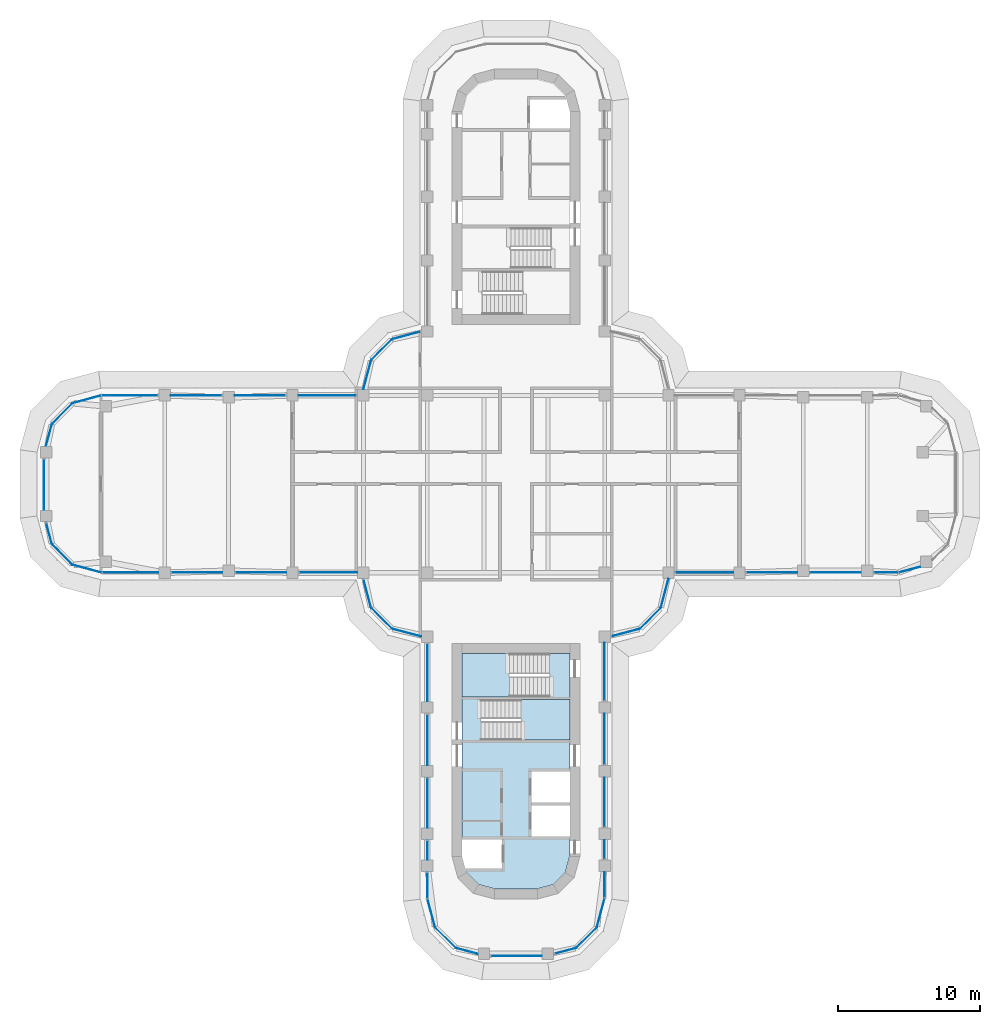
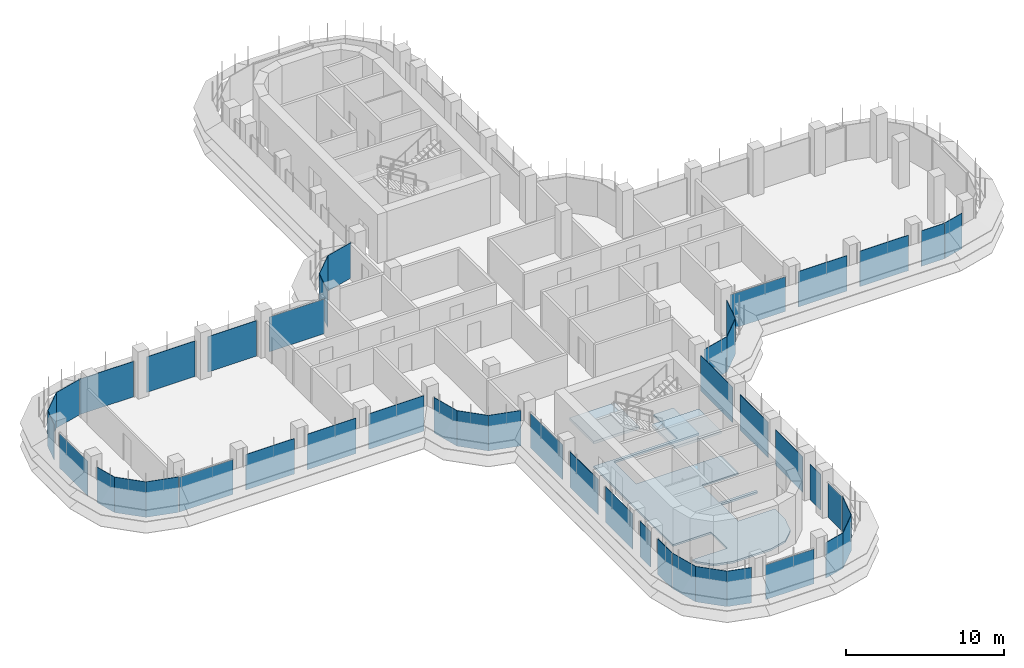
# One storey, part 12 of 20: 46 plates, 3 slabs, 31 elements without a shape of their own.
"""IFC4 building model written with IfcOpenShell, lengths in metres."""

from ifc_helpers import new_model, si_unit, direction, frame, origin, place, context, subcontext, project, spatial, polyline, outline, extrude, source, transform, mapped, material, layer, layer_set, type_object, element, aggregate, save


model = new_model("IFC4")

# Units and contexts
model_context = context("Model", 3, precision=1e-05, world=origin(), true_north=direction((0.0, 1.0)))
body_context = subcontext(model_context, "Body", "Model", "MODEL_VIEW")
ifc_project = project(units=[si_unit("LENGTHUNIT", "METRE"), si_unit("AREAUNIT", "SQUARE_METRE"), si_unit("VOLUMEUNIT", "CUBIC_METRE"), si_unit("PLANEANGLEUNIT", "RADIAN"), si_unit("MASSUNIT", "GRAM", prefix="KILO")], contexts=[model_context])

# Site, building, storey
site_placement = place(None, origin())
site = spatial("IfcSite", under=ifc_project, at=site_placement, CompositionType="ELEMENT")
building_placement = place(site_placement, origin())
building = spatial("IfcBuilding", under=site, at=building_placement, Name="Zarbagh Exchange Tower", CompositionType="ELEMENT")
storey_placement = place(building_placement, frame((0.0, 0.0, 152.39990234375)))
storey = spatial("IfcBuildingStorey", under=building, at=storey_placement, Name="L36", CompositionType="ELEMENT", Elevation=152.39990234375)

# Slab
ifc_material_1 = material(Name="Concrete C40/50", Category="concrete")
ifc_layer_1 = layer(ifc_material_1, 0.14990234375)
ifc_layer_set_1 = layer_set([ifc_layer_1], Name="Core floor slab 150 C40/50")
slab_type_1 = type_object("IfcSlabType", Name="Core floor slab 150 C40/50", PredefinedType="FLOOR", material=ifc_layer_set_1)
slab_1_placement = place(storey_placement, frame((0.0, 0.0, -0.14990234375)))
element("IfcSlab", 1, at=slab_1_placement, inside=storey, type_object=slab_type_1, Name="S17 core S", PredefinedType="FLOOR", context=body_context, shape_type="SweptSolid", body=[
    extrude(outline(polyline([(-2.6376953125, -28.220458984375), (-3.470458984375, -27.3876953125), (-3.800048828125, -26.15771484375), (-3.800048828125, -26.15771484375), (-3.547607421875, -27.10009765625), (-1.0, -27.10009765625), (-1.0, -25.050048828125), (-3.800048828125, -25.050048828125), (-3.800048828125, -15.0), (2.35009765625, -15.0), (2.35009765625, -11.949951171875), (3.800048828125, -11.949951171875), (3.800048828125, -15.199951171875), (-2.449951171875, -15.199951171875), (-2.449951171875, -18.050048828125), (3.800048828125, -18.050048828125), (3.800048828125, -20.25), (1.10009765625, -20.25), (1.10009765625, -22.449951171875), (3.800048828125, -22.449951171875), (3.800048828125, -22.64990234375), (1.10009765625, -22.64990234375), (1.10009765625, -24.85009765625), (3.800048828125, -24.85009765625), (3.800048828125, -26.15771484375), (3.470458984375, -27.3876953125), (2.6376953125, -28.220458984375), (1.40771484375, -28.550048828125), (-1.40771484375, -28.550048828125), (-2.6376953125, -28.220458984375)])), origin(), (0.0, 0.0, 1.0), 0.14990234375),
])

# Stair, slab
stair_type = type_object("IfcStairType", Name="Exit stair two-flight half-turn", PredefinedType="HALF_TURN_STAIR", material=ifc_material_1)
stair_1_placement = place(storey_placement, origin())
stair_1 = element("IfcStair", 2, at=stair_1_placement, inside=storey, type_object=stair_type, Name="exit stair ST3", PredefinedType="HALF_TURN_STAIR")
ifc_layer_2 = layer(ifc_material_1, 0.199951171875)
ifc_layer_set_2 = layer_set([ifc_layer_2], Name="Stair landing 200 mm")
slab_type_2 = type_object("IfcSlabType", Name="Stair landing 200 mm", PredefinedType="LANDING", material=ifc_layer_set_2)
slab_2_placement = place(storey_placement, frame((0.0, 0.0, 1.7001953125)))
slab_2 = element("IfcSlab", 3, at=slab_2_placement, type_object=slab_type_2, Name="ST3 landing 1", PredefinedType="LANDING", context=body_context, shape_type="SweptSolid", body=[
    extrude(outline(polyline([(0.35009765625, -18.050048828125), (3.800048828125, -18.050048828125), (3.800048828125, -15.199951171875), (0.35009765625, -15.199951171875), (0.35009765625, -18.050048828125)])), origin(), (0.0, 0.0, 1.0), 0.199951171875),
])
aggregate(stair_1, [slab_2])

stair_2_placement = place(storey_placement, origin())
stair_2 = element("IfcStair", 4, at=stair_2_placement, inside=storey, type_object=stair_type, Name="exit stair ST4", PredefinedType="HALF_TURN_STAIR")
slab_3_placement = place(storey_placement, frame((0.0, 0.0, 1.7001953125)))
slab_3 = element("IfcSlab", 5, at=slab_3_placement, type_object=slab_type_2, Name="ST4 landing 1", PredefinedType="LANDING", context=body_context, shape_type="SweptSolid", body=[
    extrude(outline(polyline([(-0.449951171875, -11.949951171875), (-3.800048828125, -11.949951171875), (-3.800048828125, -15.0), (-0.449951171875, -15.0), (-0.449951171875, -11.949951171875)])), origin(), (0.0, 0.0, 1.0), 0.199951171875),
])
aggregate(stair_2, [slab_3])

# Curtain wall, plate
ifc_material_2 = material(Name="Anodised aluminium frame and glazing", Category="aluminium")
curtain_wall_type = type_object("IfcCurtainWallType", Name="CWB Ribbon glazing, upper zones", PredefinedType="NOTDEFINED", material=ifc_material_2)
curtain_wall_1_placement = place(storey_placement, origin())
curtain_wall_1 = element("IfcCurtainWall", 6, at=curtain_wall_1_placement, inside=storey, type_object=curtain_wall_type, Name="CWB01 curtain wall", PredefinedType="NOTDEFINED")
ifc_material_3 = material(Name="Low-e double glazed unit, 6+12+6 mm")
ifc_layer_3 = layer(ifc_material_3, 0.031982421875)
ifc_layer_set_3 = layer_set([ifc_layer_3], Name="PAB Glazing panel, Low-e double glazed unit, 6+12+6 mm")
plate_type = type_object("IfcPlateType", Name="PAB Glazing panel, Low-e double glazed unit, 6+12+6 mm", PredefinedType="CURTAIN_PANEL", material=ifc_layer_set_3)
shared_shape_1 = source(origin(), body_context, "Body", "SweptSolid", [
    extrude(outline(polyline([(0.0, -0.01611328125), (1.5458984375, -0.01611328125), (1.5458984375, 0.01611328125), (0.0, 0.01611328125), (0.0, -0.01611328125)])), origin(), (0.0, 0.0, 1.0), 2.75),
])
placement = place(storey_placement, origin())
plate_1 = element("IfcPlate", 7, at=placement, type_object=plate_type, Name="CWB01 glazing panel 1.1", PredefinedType="CURTAIN_PANEL", context=body_context, shape_type="MappedRepresentation", body=[
    mapped(shared_shape_1, transform((2.748046875, -33.098876953125, 0.0), x_axis=(0.965924289636, 0.258824779902, 0.0), y_axis=(-0.258824779902, 0.965924289636, 0.0), z_axis=(0.0, 0.0, 1.0))),
])
aggregate(curtain_wall_1, [plate_1])

curtain_wall_2_placement = place(storey_placement, origin())
curtain_wall_2 = element("IfcCurtainWall", 8, at=curtain_wall_2_placement, inside=storey, type_object=curtain_wall_type, Name="CWB37 curtain wall", PredefinedType="NOTDEFINED")
plate_2 = element("IfcPlate", 9, at=placement, type_object=plate_type, Name="CWB37 glazing panel 1.1", PredefinedType="CURTAIN_PANEL", context=body_context, shape_type="MappedRepresentation", body=[
    mapped(shared_shape_1, transform((-33.098876953125, -2.748046875, 0.0), x_axis=(0.258824779902, -0.965924289636, 0.0), y_axis=(0.965924289636, 0.258824779902, 0.0), z_axis=(0.0, 0.0, 1.0))),
])
aggregate(curtain_wall_2, [plate_2])

curtain_wall_3_placement = place(storey_placement, origin())
curtain_wall_3 = element("IfcCurtainWall", 10, at=curtain_wall_3_placement, inside=storey, type_object=curtain_wall_type, Name="CWB02 curtain wall", PredefinedType="NOTDEFINED")
shared_shape_2 = source(origin(), body_context, "Body", "SweptSolid", [
    extrude(outline(polyline([(0.0, -0.01611328125), (2.061279296875, -0.01611328125), (2.061279296875, 0.01611328125), (0.0, 0.01611328125), (0.0, -0.01611328125)])), origin(), (0.0, 0.0, 1.0), 2.75),
])
plate_3 = element("IfcPlate", 11, at=placement, type_object=plate_type, Name="CWB02 glazing panel 1.1", PredefinedType="CURTAIN_PANEL", context=body_context, shape_type="MappedRepresentation", body=[
    mapped(shared_shape_2, transform((4.2412109375, -32.69873046875, 0.0), x_axis=(0.707106781187, 0.707106781187, 0.0), y_axis=(-0.707106781187, 0.707106781187, 0.0), z_axis=(0.0, 0.0, 1.0))),
])
aggregate(curtain_wall_3, [plate_3])

curtain_wall_4_placement = place(storey_placement, origin())
curtain_wall_4 = element("IfcCurtainWall", 12, at=curtain_wall_4_placement, inside=storey, type_object=curtain_wall_type, Name="CWB06 curtain wall", PredefinedType="NOTDEFINED")
plate_4 = element("IfcPlate", 13, at=placement, type_object=plate_type, Name="CWB06 glazing panel 1.1", PredefinedType="CURTAIN_PANEL", context=body_context, shape_type="MappedRepresentation", body=[
    mapped(shared_shape_2, transform((8.7412109375, -10.19873046875, 0.0), x_axis=(0.707106781187, 0.707106781187, 0.0), y_axis=(-0.707106781187, 0.707106781187, 0.0), z_axis=(0.0, 0.0, 1.0))),
])
aggregate(curtain_wall_4, [plate_4])

curtain_wall_5_placement = place(storey_placement, origin())
curtain_wall_5 = element("IfcCurtainWall", 14, at=curtain_wall_5_placement, inside=storey, type_object=curtain_wall_type, Name="CWB30 curtain wall", PredefinedType="NOTDEFINED")
plate_5 = element("IfcPlate", 15, at=placement, type_object=plate_type, Name="CWB30 glazing panel 1.1", PredefinedType="CURTAIN_PANEL", context=body_context, shape_type="MappedRepresentation", body=[
    mapped(shared_shape_2, transform((-8.7412109375, 10.19873046875, 0.0), x_axis=(-0.707106781187, -0.707106781187, 0.0), y_axis=(0.707106781187, -0.707106781187, 0.0), z_axis=(0.0, 0.0, 1.0))),
])
aggregate(curtain_wall_5, [plate_5])

curtain_wall_6_placement = place(storey_placement, origin())
curtain_wall_6 = element("IfcCurtainWall", 16, at=curtain_wall_6_placement, inside=storey, type_object=curtain_wall_type, Name="CWB34 curtain wall", PredefinedType="NOTDEFINED")
plate_6 = element("IfcPlate", 17, at=placement, type_object=plate_type, Name="CWB34 glazing panel 1.1", PredefinedType="CURTAIN_PANEL", context=body_context, shape_type="MappedRepresentation", body=[
    mapped(shared_shape_2, transform((-31.2412109375, 5.69873046875, 0.0), x_axis=(-0.707106781187, -0.707106781187, 0.0), y_axis=(0.707106781187, -0.707106781187, 0.0), z_axis=(0.0, 0.0, 1.0))),
])
aggregate(curtain_wall_6, [plate_6])

curtain_wall_7_placement = place(storey_placement, origin())
curtain_wall_7 = element("IfcCurtainWall", 18, at=curtain_wall_7_placement, inside=storey, type_object=curtain_wall_type, Name="CWB38 curtain wall", PredefinedType="NOTDEFINED")
plate_7 = element("IfcPlate", 19, at=placement, type_object=plate_type, Name="CWB38 glazing panel 1.1", PredefinedType="CURTAIN_PANEL", context=body_context, shape_type="MappedRepresentation", body=[
    mapped(shared_shape_2, transform((-32.69873046875, -4.2412109375, 0.0), x_axis=(0.707106781187, -0.707106781187, 0.0), y_axis=(0.707106781187, 0.707106781187, 0.0), z_axis=(0.0, 0.0, 1.0))),
])
aggregate(curtain_wall_7, [plate_7])

curtain_wall_8_placement = place(storey_placement, origin())
curtain_wall_8 = element("IfcCurtainWall", 20, at=curtain_wall_8_placement, inside=storey, type_object=curtain_wall_type, Name="CWB42 curtain wall", PredefinedType="NOTDEFINED")
plate_8 = element("IfcPlate", 21, at=placement, type_object=plate_type, Name="CWB42 glazing panel 1.1", PredefinedType="CURTAIN_PANEL", context=body_context, shape_type="MappedRepresentation", body=[
    mapped(shared_shape_2, transform((-10.19873046875, -8.7412109375, 0.0), x_axis=(0.707106781187, -0.707106781187, 0.0), y_axis=(0.707106781187, 0.707106781187, 0.0), z_axis=(0.0, 0.0, 1.0))),
])
aggregate(curtain_wall_8, [plate_8])

curtain_wall_9_placement = place(storey_placement, origin())
curtain_wall_9 = element("IfcCurtainWall", 22, at=curtain_wall_9_placement, inside=storey, type_object=curtain_wall_type, Name="CWB46 curtain wall", PredefinedType="NOTDEFINED")
plate_9 = element("IfcPlate", 23, at=placement, type_object=plate_type, Name="CWB46 glazing panel 1.1", PredefinedType="CURTAIN_PANEL", context=body_context, shape_type="MappedRepresentation", body=[
    mapped(shared_shape_2, transform((-5.69873046875, -31.2412109375, 0.0), x_axis=(0.707106781187, -0.707106781187, 0.0), y_axis=(0.707106781187, 0.707106781187, 0.0), z_axis=(0.0, 0.0, 1.0))),
])
aggregate(curtain_wall_9, [plate_9])

curtain_wall_10_placement = place(storey_placement, origin())
curtain_wall_10 = element("IfcCurtainWall", 24, at=curtain_wall_10_placement, inside=storey, type_object=curtain_wall_type, Name="CWB03 curtain wall", PredefinedType="NOTDEFINED")
shared_shape_3 = source(origin(), body_context, "Body", "SweptSolid", [
    extrude(outline(polyline([(0.0, -0.01611328125), (2.129638671875, -0.01611328125), (2.129638671875, 0.01611328125), (0.0, 0.01611328125), (0.0, -0.01611328125)])), origin(), (0.0, 0.0, 1.0), 2.75),
])
plate_10 = element("IfcPlate", 25, at=placement, type_object=plate_type, Name="CWB03 glazing panel 1.1", PredefinedType="CURTAIN_PANEL", context=body_context, shape_type="MappedRepresentation", body=[
    mapped(shared_shape_3, transform((5.69873046875, -31.2412109375, 0.0), x_axis=(0.258824779902, 0.965924289636, 0.0), y_axis=(-0.965924289636, 0.258824779902, 0.0), z_axis=(0.0, 0.0, 1.0))),
])
aggregate(curtain_wall_10, [plate_10])

curtain_wall_11_placement = place(storey_placement, origin())
curtain_wall_11 = element("IfcCurtainWall", 26, at=curtain_wall_11_placement, inside=storey, type_object=curtain_wall_type, Name="CWB39 curtain wall", PredefinedType="NOTDEFINED")
plate_11 = element("IfcPlate", 27, at=placement, type_object=plate_type, Name="CWB39 glazing panel 1.1", PredefinedType="CURTAIN_PANEL", context=body_context, shape_type="MappedRepresentation", body=[
    mapped(shared_shape_3, transform((-31.2412109375, -5.69873046875, 0.0), x_axis=(0.965924289636, -0.258824779902, 0.0), y_axis=(0.258824779902, 0.965924289636, 0.0), z_axis=(0.0, 0.0, 1.0))),
])
aggregate(curtain_wall_11, [plate_11])

# Curtain wall, plates
curtain_wall_12_placement = place(storey_placement, origin())
curtain_wall_12 = element("IfcCurtainWall", 28, at=curtain_wall_12_placement, inside=storey, type_object=curtain_wall_type, Name="CWB04 curtain wall", PredefinedType="NOTDEFINED")
shared_shape_4 = source(origin(), body_context, "Body", "SweptSolid", [
    extrude(outline(polyline([(0.0, -0.01611328125), (1.7841796875, -0.01611328125), (1.7841796875, 0.01611328125), (0.0, 0.01611328125), (0.0, -0.01611328125)])), origin(), (0.0, 0.0, 1.0), 2.68994140625),
])
plate_12 = element("IfcPlate", 29, at=placement, type_object=plate_type, Name="CWB04 glazing panel 1.1", PredefinedType="CURTAIN_PANEL", context=body_context, shape_type="MappedRepresentation", body=[
    mapped(shared_shape_4, transform((6.25, -29.124267578125, 0.0), x_axis=(0.0, 1.0, 0.0), y_axis=(-1.0, 0.0, 0.0), z_axis=(0.0, 0.0, 1.0))),
])
shared_shape_5 = source(origin(), body_context, "Body", "SweptSolid", [
    extrude(outline(polyline([(0.0, -0.01611328125), (1.31005859375, -0.01611328125), (1.31005859375, 0.01611328125), (0.0, 0.01611328125), (0.0, -0.01611328125)])), origin(), (0.0, 0.0, 1.0), 2.75),
])
plate_13 = element("IfcPlate", 30, at=placement, type_object=plate_type, Name="CWB04 glazing panel 2.1", PredefinedType="CURTAIN_PANEL", context=body_context, shape_type="MappedRepresentation", body=[
    mapped(shared_shape_5, transform((6.25, -26.39990234375, 0.0), x_axis=(0.0, 1.0, 0.0), y_axis=(-1.0, 0.0, 0.0), z_axis=(0.0, 0.0, 1.0))),
])

# Curtain wall, plate
curtain_wall_13_placement = place(storey_placement, origin())
curtain_wall_13 = element("IfcCurtainWall", 31, at=curtain_wall_13_placement, inside=storey, type_object=curtain_wall_type, Name="CWB44 curtain wall", PredefinedType="NOTDEFINED")
plate_14 = element("IfcPlate", 32, at=placement, type_object=plate_type, Name="CWB44 glazing panel 4.1", PredefinedType="CURTAIN_PANEL", context=body_context, shape_type="MappedRepresentation", body=[
    mapped(shared_shape_5, transform((-6.25, -25.150146484375, 0.0), x_axis=(0.0, -1.0, 0.0), y_axis=(1.0, 0.0, 0.0), z_axis=(0.0, 0.0, 1.0))),
])

# Plate
shared_shape_6 = source(origin(), body_context, "Body", "SweptSolid", [
    extrude(outline(polyline([(0.0, -0.01611328125), (3.4599609375, -0.01611328125), (3.4599609375, 0.01611328125), (0.0, 0.01611328125), (0.0, -0.01611328125)])), origin(), (0.0, 0.0, 1.0), 2.75),
])
plate_15 = element("IfcPlate", 33, at=placement, type_object=plate_type, Name="CWB04 glazing panel 3.1", PredefinedType="CURTAIN_PANEL", context=body_context, shape_type="MappedRepresentation", body=[
    mapped(shared_shape_6, transform((6.25, -24.14990234375, 0.0), x_axis=(0.0, 1.0, 0.0), y_axis=(-1.0, 0.0, 0.0), z_axis=(0.0, 0.0, 1.0))),
])

plate_16 = element("IfcPlate", 34, at=placement, type_object=plate_type, Name="CWB44 glazing panel 3.1", PredefinedType="CURTAIN_PANEL", context=body_context, shape_type="MappedRepresentation", body=[
    mapped(shared_shape_6, transform((-6.25, -20.75, 0.0), x_axis=(0.0, -1.0, 0.0), y_axis=(1.0, 0.0, 0.0), z_axis=(0.0, 0.0, 1.0))),
])

shared_shape_7 = source(origin(), body_context, "Body", "SweptSolid", [
    extrude(outline(polyline([(0.0, -0.01611328125), (3.56005859375, -0.01611328125), (3.56005859375, 0.01611328125), (0.0, 0.01611328125), (0.0, -0.01611328125)])), origin(), (0.0, 0.0, 1.0), 2.75),
])
plate_17 = element("IfcPlate", 35, at=placement, type_object=plate_type, Name="CWB04 glazing panel 4.1", PredefinedType="CURTAIN_PANEL", context=body_context, shape_type="MappedRepresentation", body=[
    mapped(shared_shape_7, transform((6.25, -19.75, 0.0), x_axis=(0.0, 1.0, 0.0), y_axis=(-1.0, 0.0, 0.0), z_axis=(0.0, 0.0, 1.0))),
])

# Curtain wall, plates
curtain_wall_14_placement = place(storey_placement, origin())
curtain_wall_14 = element("IfcCurtainWall", 36, at=curtain_wall_14_placement, inside=storey, type_object=curtain_wall_type, Name="CWB08 curtain wall", PredefinedType="NOTDEFINED")
plate_18 = element("IfcPlate", 37, at=placement, type_object=plate_type, Name="CWB08 glazing panel 2.1", PredefinedType="CURTAIN_PANEL", context=body_context, shape_type="MappedRepresentation", body=[
    mapped(shared_shape_7, transform((16.25, -6.25, 0.0), x_axis=(1.0, 0.0, 0.0), y_axis=(0.0, 1.0, 0.0), z_axis=(0.0, 0.0, 1.0))),
])
plate_19 = element("IfcPlate", 38, at=placement, type_object=plate_type, Name="CWB08 glazing panel 3.1", PredefinedType="CURTAIN_PANEL", context=body_context, shape_type="MappedRepresentation", body=[
    mapped(shared_shape_7, transform((20.75, -6.25, 0.0), x_axis=(1.0, 0.0, 0.0), y_axis=(0.0, 1.0, 0.0), z_axis=(0.0, 0.0, 1.0))),
])

curtain_wall_15_placement = place(storey_placement, origin())
curtain_wall_15 = element("IfcCurtainWall", 39, at=curtain_wall_15_placement, inside=storey, type_object=curtain_wall_type, Name="CWB32 curtain wall", PredefinedType="NOTDEFINED")
plate_20 = element("IfcPlate", 40, at=placement, type_object=plate_type, Name="CWB32 glazing panel 2.1", PredefinedType="CURTAIN_PANEL", context=body_context, shape_type="MappedRepresentation", body=[
    mapped(shared_shape_7, transform((-16.25, 6.25, 0.0), x_axis=(-1.0, 0.0, 0.0), y_axis=(0.0, -1.0, 0.0), z_axis=(0.0, 0.0, 1.0))),
])
plate_21 = element("IfcPlate", 41, at=placement, type_object=plate_type, Name="CWB32 glazing panel 3.1", PredefinedType="CURTAIN_PANEL", context=body_context, shape_type="MappedRepresentation", body=[
    mapped(shared_shape_7, transform((-20.75, 6.25, 0.0), x_axis=(-1.0, 0.0, 0.0), y_axis=(0.0, -1.0, 0.0), z_axis=(0.0, 0.0, 1.0))),
])

curtain_wall_16_placement = place(storey_placement, origin())
curtain_wall_16 = element("IfcCurtainWall", 42, at=curtain_wall_16_placement, inside=storey, type_object=curtain_wall_type, Name="CWB40 curtain wall", PredefinedType="NOTDEFINED")
plate_22 = element("IfcPlate", 43, at=placement, type_object=plate_type, Name="CWB40 glazing panel 2.1", PredefinedType="CURTAIN_PANEL", context=body_context, shape_type="MappedRepresentation", body=[
    mapped(shared_shape_7, transform((-24.25, -6.25, 0.0), x_axis=(1.0, 0.0, 0.0), y_axis=(0.0, 1.0, 0.0), z_axis=(0.0, 0.0, 1.0))),
])
plate_23 = element("IfcPlate", 44, at=placement, type_object=plate_type, Name="CWB40 glazing panel 3.1", PredefinedType="CURTAIN_PANEL", context=body_context, shape_type="MappedRepresentation", body=[
    mapped(shared_shape_7, transform((-19.75, -6.25, 0.0), x_axis=(1.0, 0.0, 0.0), y_axis=(0.0, 1.0, 0.0), z_axis=(0.0, 0.0, 1.0))),
])

# Plate
plate_24 = element("IfcPlate", 45, at=placement, type_object=plate_type, Name="CWB44 glazing panel 2.1", PredefinedType="CURTAIN_PANEL", context=body_context, shape_type="MappedRepresentation", body=[
    mapped(shared_shape_7, transform((-6.25, -16.25, 0.0), x_axis=(0.0, -1.0, 0.0), y_axis=(1.0, 0.0, 0.0), z_axis=(0.0, 0.0, 1.0))),
])

shared_shape_8 = source(origin(), body_context, "Body", "SweptSolid", [
    extrude(outline(polyline([(0.0, -0.01611328125), (4.06005859375, -0.01611328125), (4.06005859375, 0.01611328125), (0.0, 0.01611328125), (0.0, -0.01611328125)])), origin(), (0.0, 0.0, 1.0), 2.75),
])
plate_25 = element("IfcPlate", 46, at=placement, type_object=plate_type, Name="CWB04 glazing panel 5.1", PredefinedType="CURTAIN_PANEL", context=body_context, shape_type="MappedRepresentation", body=[
    mapped(shared_shape_8, transform((6.25, -15.25, 0.0), x_axis=(0.0, 1.0, 0.0), y_axis=(-1.0, 0.0, 0.0), z_axis=(0.0, 0.0, 1.0))),
])

aggregate(curtain_wall_12, [plate_12, plate_13, plate_15, plate_17, plate_25])

plate_26 = element("IfcPlate", 47, at=placement, type_object=plate_type, Name="CWB40 glazing panel 4.1", PredefinedType="CURTAIN_PANEL", context=body_context, shape_type="MappedRepresentation", body=[
    mapped(shared_shape_8, transform((-15.25, -6.25, 0.0), x_axis=(1.0, 0.0, 0.0), y_axis=(0.0, 1.0, 0.0), z_axis=(0.0, 0.0, 1.0))),
])

# Curtain wall, plate
curtain_wall_17_placement = place(storey_placement, origin())
curtain_wall_17 = element("IfcCurtainWall", 48, at=curtain_wall_17_placement, inside=storey, type_object=curtain_wall_type, Name="CWB05 curtain wall", PredefinedType="NOTDEFINED")
shared_shape_9 = source(origin(), body_context, "Body", "SweptSolid", [
    extrude(outline(polyline([(0.0, -0.01611328125), (2.063720703125, -0.01611328125), (2.063720703125, 0.01611328125), (0.0, 0.01611328125), (0.0, -0.01611328125)])), origin(), (0.0, 0.0, 1.0), 2.75),
])
plate_27 = element("IfcPlate", 49, at=placement, type_object=plate_type, Name="CWB05 glazing panel 1.1", PredefinedType="CURTAIN_PANEL", context=body_context, shape_type="MappedRepresentation", body=[
    mapped(shared_shape_9, transform((6.748046875, -10.73291015625, 0.0), x_axis=(0.965924289636, 0.258824779902, 0.0), y_axis=(-0.258824779902, 0.965924289636, 0.0), z_axis=(0.0, 0.0, 1.0))),
])
aggregate(curtain_wall_17, [plate_27])

curtain_wall_18_placement = place(storey_placement, origin())
curtain_wall_18 = element("IfcCurtainWall", 50, at=curtain_wall_18_placement, inside=storey, type_object=curtain_wall_type, Name="CWB29 curtain wall", PredefinedType="NOTDEFINED")
plate_28 = element("IfcPlate", 51, at=placement, type_object=plate_type, Name="CWB29 glazing panel 1.1", PredefinedType="CURTAIN_PANEL", context=body_context, shape_type="MappedRepresentation", body=[
    mapped(shared_shape_9, transform((-6.748046875, 10.73291015625, 0.0), x_axis=(-0.965924289636, -0.258824779902, 0.0), y_axis=(0.258824779902, -0.965924289636, 0.0), z_axis=(0.0, 0.0, 1.0))),
])
aggregate(curtain_wall_18, [plate_28])

curtain_wall_19_placement = place(storey_placement, origin())
curtain_wall_19 = element("IfcCurtainWall", 52, at=curtain_wall_19_placement, inside=storey, type_object=curtain_wall_type, Name="CWB41 curtain wall", PredefinedType="NOTDEFINED")
plate_29 = element("IfcPlate", 53, at=placement, type_object=plate_type, Name="CWB41 glazing panel 1.1", PredefinedType="CURTAIN_PANEL", context=body_context, shape_type="MappedRepresentation", body=[
    mapped(shared_shape_9, transform((-10.73291015625, -6.748046875, 0.0), x_axis=(0.258824779902, -0.965924289636, 0.0), y_axis=(0.965924289636, 0.258824779902, 0.0), z_axis=(0.0, 0.0, 1.0))),
])
aggregate(curtain_wall_19, [plate_29])

curtain_wall_20_placement = place(storey_placement, origin())
curtain_wall_20 = element("IfcCurtainWall", 54, at=curtain_wall_20_placement, inside=storey, type_object=curtain_wall_type, Name="CWB07 curtain wall", PredefinedType="NOTDEFINED")
shared_shape_10 = source(origin(), body_context, "Body", "SweptSolid", [
    extrude(outline(polyline([(0.0, -0.01611328125), (2.12353515625, -0.01611328125), (2.12353515625, 0.01611328125), (0.0, 0.01611328125), (0.0, -0.01611328125)])), origin(), (0.0, 0.0, 1.0), 2.75),
])
plate_30 = element("IfcPlate", 55, at=placement, type_object=plate_type, Name="CWB07 glazing panel 1.1", PredefinedType="CURTAIN_PANEL", context=body_context, shape_type="MappedRepresentation", body=[
    mapped(shared_shape_10, transform((10.19873046875, -8.7412109375, 0.0), x_axis=(0.258824779902, 0.965924289636, 0.0), y_axis=(-0.965924289636, 0.258824779902, 0.0), z_axis=(0.0, 0.0, 1.0))),
])
aggregate(curtain_wall_20, [plate_30])

curtain_wall_21_placement = place(storey_placement, origin())
curtain_wall_21 = element("IfcCurtainWall", 56, at=curtain_wall_21_placement, inside=storey, type_object=curtain_wall_type, Name="CWB31 curtain wall", PredefinedType="NOTDEFINED")
plate_31 = element("IfcPlate", 57, at=placement, type_object=plate_type, Name="CWB31 glazing panel 1.1", PredefinedType="CURTAIN_PANEL", context=body_context, shape_type="MappedRepresentation", body=[
    mapped(shared_shape_10, transform((-10.19873046875, 8.7412109375, 0.0), x_axis=(-0.258824779902, -0.965924289636, 0.0), y_axis=(0.965924289636, -0.258824779902, 0.0), z_axis=(0.0, 0.0, 1.0))),
])
aggregate(curtain_wall_21, [plate_31])

curtain_wall_22_placement = place(storey_placement, origin())
curtain_wall_22 = element("IfcCurtainWall", 58, at=curtain_wall_22_placement, inside=storey, type_object=curtain_wall_type, Name="CWB43 curtain wall", PredefinedType="NOTDEFINED")
plate_32 = element("IfcPlate", 59, at=placement, type_object=plate_type, Name="CWB43 glazing panel 1.1", PredefinedType="CURTAIN_PANEL", context=body_context, shape_type="MappedRepresentation", body=[
    mapped(shared_shape_10, transform((-8.7412109375, -10.19873046875, 0.0), x_axis=(0.965924289636, -0.258824779902, 0.0), y_axis=(0.258824779902, 0.965924289636, 0.0), z_axis=(0.0, 0.0, 1.0))),
])
aggregate(curtain_wall_22, [plate_32])

# Plate
shared_shape_11 = source(origin(), body_context, "Body", "SweptSolid", [
    extrude(outline(polyline([(0.0, -0.01611328125), (4.06005859375, -0.01611328125), (4.06005859375, 0.01611328125), (0.0, 0.01611328125), (0.0, -0.01611328125)])), origin(), (0.0, 0.0, 1.0), 2.68994140625),
])
plate_33 = element("IfcPlate", 60, at=placement, type_object=plate_type, Name="CWB08 glazing panel 1.1", PredefinedType="CURTAIN_PANEL", context=body_context, shape_type="MappedRepresentation", body=[
    mapped(shared_shape_11, transform((11.25, -6.25, 0.0), x_axis=(1.0, 0.0, 0.0), y_axis=(0.0, 1.0, 0.0), z_axis=(0.0, 0.0, 1.0))),
])

plate_34 = element("IfcPlate", 61, at=placement, type_object=plate_type, Name="CWB32 glazing panel 1.1", PredefinedType="CURTAIN_PANEL", context=body_context, shape_type="MappedRepresentation", body=[
    mapped(shared_shape_11, transform((-11.25, 6.25, 0.0), x_axis=(-1.0, 0.0, 0.0), y_axis=(0.0, -1.0, 0.0), z_axis=(0.0, 0.0, 1.0))),
])

plate_35 = element("IfcPlate", 62, at=placement, type_object=plate_type, Name="CWB44 glazing panel 1.1", PredefinedType="CURTAIN_PANEL", context=body_context, shape_type="MappedRepresentation", body=[
    mapped(shared_shape_11, transform((-6.25, -11.25, 0.0), x_axis=(0.0, -1.0, 0.0), y_axis=(1.0, 0.0, 0.0), z_axis=(0.0, 0.0, 1.0))),
])

shared_shape_12 = source(origin(), body_context, "Body", "SweptSolid", [
    extrude(outline(polyline([(0.0, -0.01611328125), (1.68408203125, -0.01611328125), (1.68408203125, 0.01611328125), (0.0, 0.01611328125), (0.0, -0.01611328125)])), origin(), (0.0, 0.0, 1.0), 2.75),
])
plate_36 = element("IfcPlate", 63, at=placement, type_object=plate_type, Name="CWB08 glazing panel 4.1", PredefinedType="CURTAIN_PANEL", context=body_context, shape_type="MappedRepresentation", body=[
    mapped(shared_shape_12, transform((25.25, -6.25, 0.0), x_axis=(1.0, 0.0, 0.0), y_axis=(0.0, 1.0, 0.0), z_axis=(0.0, 0.0, 1.0))),
])

aggregate(curtain_wall_14, [plate_33, plate_18, plate_19, plate_36])

# Curtain wall, plate
curtain_wall_23_placement = place(storey_placement, origin())
curtain_wall_23 = element("IfcCurtainWall", 64, at=curtain_wall_23_placement, inside=storey, type_object=curtain_wall_type, Name="CWB09 curtain wall", PredefinedType="NOTDEFINED")
shared_shape_13 = source(origin(), body_context, "Body", "SweptSolid", [
    extrude(outline(polyline([(0.0, -0.01611328125), (1.52783203125, -0.01611328125), (1.52783203125, 0.01611328125), (0.0, 0.01611328125), (0.0, -0.01611328125)])), origin(), (0.0, 0.0, 1.0), 2.75),
])
plate_37 = element("IfcPlate", 65, at=placement, type_object=plate_type, Name="CWB09 glazing panel 1.1", PredefinedType="CURTAIN_PANEL", context=body_context, shape_type="MappedRepresentation", body=[
    mapped(shared_shape_13, transform((26.9921875, -6.234375, 0.0), x_axis=(0.965924289636, 0.258824779902, 0.0), y_axis=(-0.258824779902, 0.965924289636, 0.0), z_axis=(0.0, 0.0, 1.0))),
])
aggregate(curtain_wall_23, [plate_37])

curtain_wall_24_placement = place(storey_placement, origin())
curtain_wall_24 = element("IfcCurtainWall", 66, at=curtain_wall_24_placement, inside=storey, type_object=curtain_wall_type, Name="CWB33 curtain wall", PredefinedType="NOTDEFINED")
shared_shape_14 = source(origin(), body_context, "Body", "SweptSolid", [
    extrude(outline(polyline([(0.0, -0.01611328125), (2.069580078125, -0.01611328125), (2.069580078125, 0.01611328125), (0.0, 0.01611328125), (0.0, -0.01611328125)])), origin(), (0.0, 0.0, 1.0), 2.75),
])
plate_38 = element("IfcPlate", 67, at=placement, type_object=plate_type, Name="CWB33 glazing panel 1.1", PredefinedType="CURTAIN_PANEL", context=body_context, shape_type="MappedRepresentation", body=[
    mapped(shared_shape_14, transform((-29.2421875, 6.234375, 0.0), x_axis=(-0.965924289636, -0.258824779902, 0.0), y_axis=(0.258824779902, -0.965924289636, 0.0), z_axis=(0.0, 0.0, 1.0))),
])
aggregate(curtain_wall_24, [plate_38])

curtain_wall_25_placement = place(storey_placement, origin())
curtain_wall_25 = element("IfcCurtainWall", 68, at=curtain_wall_25_placement, inside=storey, type_object=curtain_wall_type, Name="CWB45 curtain wall", PredefinedType="NOTDEFINED")
plate_39 = element("IfcPlate", 69, at=placement, type_object=plate_type, Name="CWB45 glazing panel 1.1", PredefinedType="CURTAIN_PANEL", context=body_context, shape_type="MappedRepresentation", body=[
    mapped(shared_shape_14, transform((-6.234375, -29.2421875, 0.0), x_axis=(0.258824779902, -0.965924289636, 0.0), y_axis=(0.965924289636, 0.258824779902, 0.0), z_axis=(0.0, 0.0, 1.0))),
])
aggregate(curtain_wall_25, [plate_39])

# Plate
shared_shape_15 = source(origin(), body_context, "Body", "SweptSolid", [
    extrude(outline(polyline([(0.0, -0.01611328125), (3.93408203125, -0.01611328125), (3.93408203125, 0.01611328125), (0.0, 0.01611328125), (0.0, -0.01611328125)])), origin(), (0.0, 0.0, 1.0), 2.75),
])
plate_40 = element("IfcPlate", 70, at=placement, type_object=plate_type, Name="CWB32 glazing panel 4.1", PredefinedType="CURTAIN_PANEL", context=body_context, shape_type="MappedRepresentation", body=[
    mapped(shared_shape_15, transform((-25.25, 6.25, 0.0), x_axis=(-1.0, 0.0, 0.0), y_axis=(0.0, -1.0, 0.0), z_axis=(0.0, 0.0, 1.0))),
])

aggregate(curtain_wall_15, [plate_34, plate_20, plate_21, plate_40])

# Curtain wall, plate
curtain_wall_26_placement = place(storey_placement, origin())
curtain_wall_26 = element("IfcCurtainWall", 71, at=curtain_wall_26_placement, inside=storey, type_object=curtain_wall_type, Name="CWB35 curtain wall", PredefinedType="NOTDEFINED")
shared_shape_16 = source(origin(), body_context, "Body", "SweptSolid", [
    extrude(outline(polyline([(0.0, -0.01611328125), (1.60595703125, -0.01611328125), (1.60595703125, 0.01611328125), (0.0, 0.01611328125), (0.0, -0.01611328125)])), origin(), (0.0, 0.0, 1.0), 2.75),
])
plate_41 = element("IfcPlate", 72, at=placement, type_object=plate_type, Name="CWB35 glazing panel 1.1", PredefinedType="CURTAIN_PANEL", context=body_context, shape_type="MappedRepresentation", body=[
    mapped(shared_shape_16, transform((-32.69873046875, 4.2412109375, 0.0), x_axis=(-0.258824779902, -0.965924289636, 0.0), y_axis=(0.965924289636, -0.258824779902, 0.0), z_axis=(0.0, 0.0, 1.0))),
])
aggregate(curtain_wall_26, [plate_41])

curtain_wall_27_placement = place(storey_placement, origin())
curtain_wall_27 = element("IfcCurtainWall", 73, at=curtain_wall_27_placement, inside=storey, type_object=curtain_wall_type, Name="CWB47 curtain wall", PredefinedType="NOTDEFINED")
plate_42 = element("IfcPlate", 74, at=placement, type_object=plate_type, Name="CWB47 glazing panel 1.1", PredefinedType="CURTAIN_PANEL", context=body_context, shape_type="MappedRepresentation", body=[
    mapped(shared_shape_16, transform((-4.2412109375, -32.69873046875, 0.0), x_axis=(0.965924289636, -0.258824779902, 0.0), y_axis=(0.258824779902, 0.965924289636, 0.0), z_axis=(0.0, 0.0, 1.0))),
])
aggregate(curtain_wall_27, [plate_42])

curtain_wall_28_placement = place(storey_placement, origin())
curtain_wall_28 = element("IfcCurtainWall", 75, at=curtain_wall_28_placement, inside=storey, type_object=curtain_wall_type, Name="CWB36 curtain wall", PredefinedType="NOTDEFINED")
shared_shape_17 = source(origin(), body_context, "Body", "SweptSolid", [
    extrude(outline(polyline([(0.0, -0.01611328125), (3.56005859375, -0.01611328125), (3.56005859375, 0.01611328125), (0.0, 0.01611328125), (0.0, -0.01611328125)])), origin(), (0.0, 0.0, 1.0), 2.68994140625),
])
plate_43 = element("IfcPlate", 76, at=placement, type_object=plate_type, Name="CWB36 glazing panel 1.1", PredefinedType="CURTAIN_PANEL", context=body_context, shape_type="MappedRepresentation", body=[
    mapped(shared_shape_17, transform((-33.25, 1.75, 0.0), x_axis=(0.0, -1.0, 0.0), y_axis=(1.0, 0.0, 0.0), z_axis=(0.0, 0.0, 1.0))),
])
aggregate(curtain_wall_28, [plate_43])

curtain_wall_29_placement = place(storey_placement, origin())
curtain_wall_29 = element("IfcCurtainWall", 77, at=curtain_wall_29_placement, inside=storey, type_object=curtain_wall_type, Name="CWB48 curtain wall", PredefinedType="NOTDEFINED")
plate_44 = element("IfcPlate", 78, at=placement, type_object=plate_type, Name="CWB48 glazing panel 1.1", PredefinedType="CURTAIN_PANEL", context=body_context, shape_type="MappedRepresentation", body=[
    mapped(shared_shape_17, transform((-1.75, -33.25, 0.0), x_axis=(1.0, 0.0, 0.0), y_axis=(0.0, 1.0, 0.0), z_axis=(0.0, 0.0, 1.0))),
])
aggregate(curtain_wall_29, [plate_44])

# Plate
shared_shape_18 = source(origin(), body_context, "Body", "SweptSolid", [
    extrude(outline(polyline([(0.0, -0.01611328125), (3.93408203125, -0.01611328125), (3.93408203125, 0.01611328125), (0.0, 0.01611328125), (0.0, -0.01611328125)])), origin(), (0.0, 0.0, 1.0), 2.68994140625),
])
plate_45 = element("IfcPlate", 79, at=placement, type_object=plate_type, Name="CWB40 glazing panel 1.1", PredefinedType="CURTAIN_PANEL", context=body_context, shape_type="MappedRepresentation", body=[
    mapped(shared_shape_18, transform((-29.124267578125, -6.25, 0.0), x_axis=(1.0, 0.0, 0.0), y_axis=(0.0, 1.0, 0.0), z_axis=(0.0, 0.0, 1.0))),
])

aggregate(curtain_wall_16, [plate_45, plate_22, plate_23, plate_26])

shared_shape_19 = source(origin(), body_context, "Body", "SweptSolid", [
    extrude(outline(polyline([(0.0, -0.01611328125), (1.7841796875, -0.01611328125), (1.7841796875, 0.01611328125), (0.0, 0.01611328125), (0.0, -0.01611328125)])), origin(), (0.0, 0.0, 1.0), 2.75),
])
plate_46 = element("IfcPlate", 80, at=placement, type_object=plate_type, Name="CWB44 glazing panel 5.1", PredefinedType="CURTAIN_PANEL", context=body_context, shape_type="MappedRepresentation", body=[
    mapped(shared_shape_19, transform((-6.25, -27.400146484375, 0.0), x_axis=(0.0, -1.0, 0.0), y_axis=(1.0, 0.0, 0.0), z_axis=(0.0, 0.0, 1.0))),
])

aggregate(curtain_wall_13, [plate_35, plate_24, plate_16, plate_14, plate_46])

save(model, "model.ifc")
